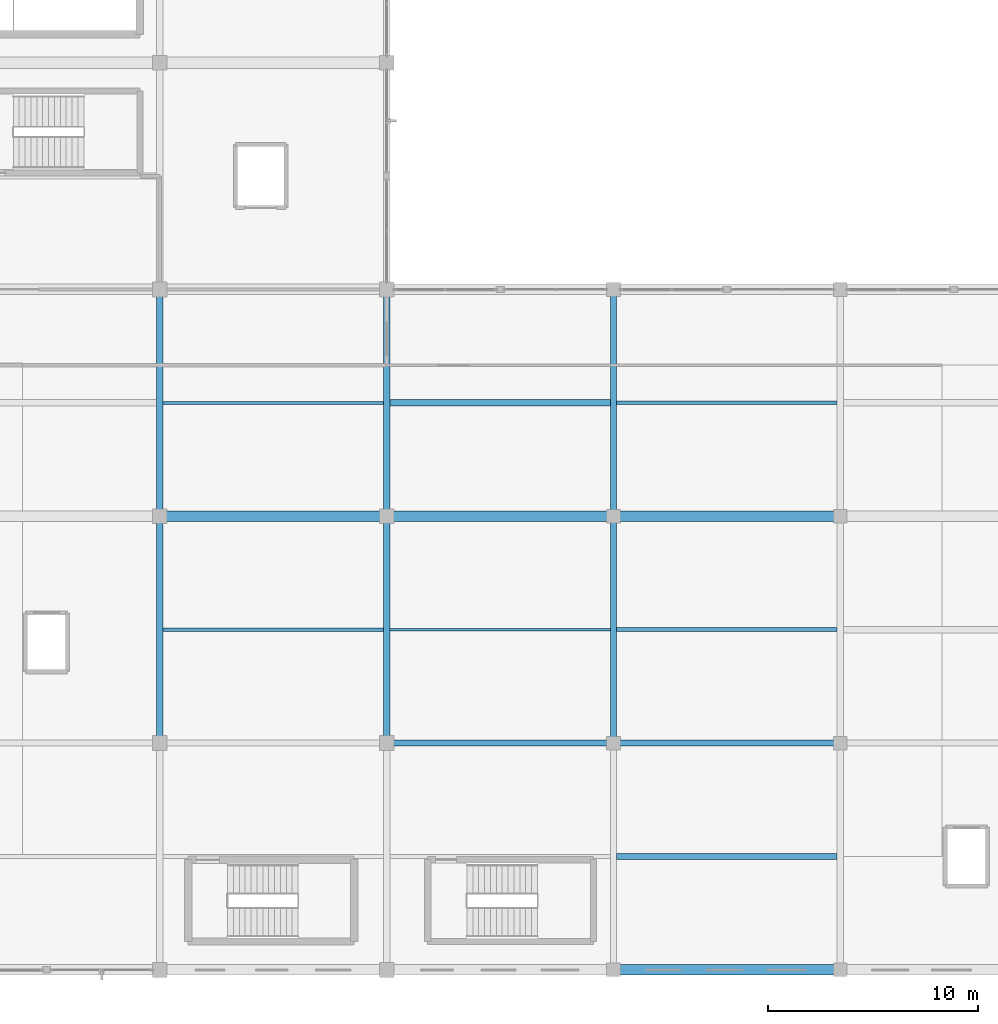
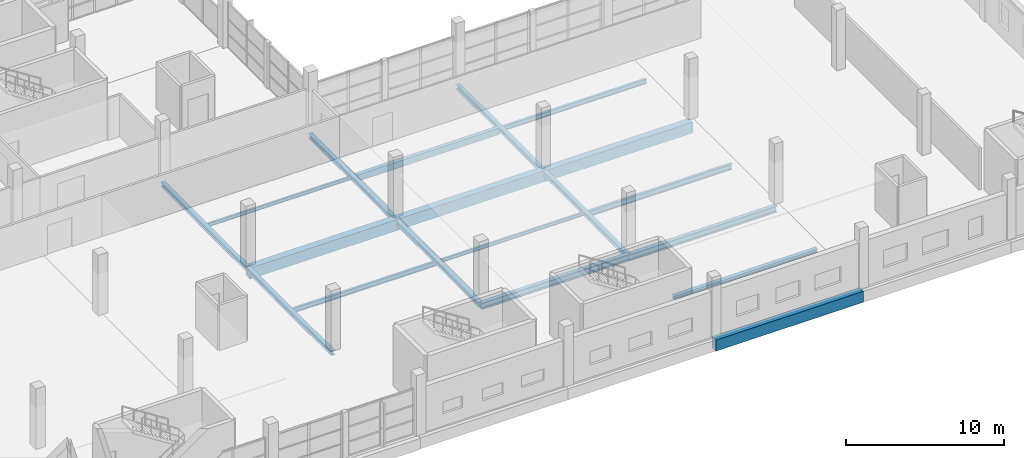
# One storey, part 56 of 142: 19 beams.
"""IFC4 building model written with IfcOpenShell, lengths in metres."""

from ifc_helpers import new_model, si_unit, direction, frame, origin, origin_2d, place, context, subcontext, project, spatial, rectangle, i_section, extrude, material, material_profile, profile_set, type_object, element, save


model = new_model("IFC4")

# Units and contexts
model_context = context("Model", 3, precision=1e-05, world=origin(), true_north=direction((0.0, 1.0)))
body_context = subcontext(model_context, "Body", "Model", "MODEL_VIEW")
ifc_project = project(units=[si_unit("LENGTHUNIT", "METRE"), si_unit("AREAUNIT", "SQUARE_METRE"), si_unit("VOLUMEUNIT", "CUBIC_METRE"), si_unit("PLANEANGLEUNIT", "RADIAN"), si_unit("MASSUNIT", "GRAM", prefix="KILO")], contexts=[model_context])

# Site, building, storey
site_placement = place(None, origin())
site = spatial("IfcSite", under=ifc_project, at=site_placement, CompositionType="ELEMENT")
building_placement = place(site_placement, origin())
building = spatial("IfcBuilding", under=site, at=building_placement, Name="Zwinboog Wholesale Market", CompositionType="ELEMENT")
storey_placement = place(building_placement, frame((0.0, 0.0, 5.39990234375)))
storey = spatial("IfcBuildingStorey", under=building, at=storey_placement, Name="L01", CompositionType="ELEMENT", Elevation=5.39990234375)

# Beams
ifc_material_1 = material(Name="Precast concrete C45/55", Category="concrete")
ifc_material_profile_1 = material_profile(ifc_material_1, rectangle(XDim=0.5, YDim=0.85009765625, at=origin_2d()), Name="PC 500x850")
ifc_profile_set_1 = profile_set([ifc_material_profile_1], Name="Precast concrete C45/55")
beam_type_1 = type_object("IfcBeamType", Name="BT-03", PredefinedType="BEAM", material=ifc_profile_set_1)
beam_1_placement = place(storey_placement, frame((183.60009765625, 0.0, -0.72998046875), z_axis=(1.0, 0.0, 0.0), x_axis=(0.0, 1.0, 0.0)))
element("IfcBeam", 1, at=beam_1_placement, inside=storey, type_object=beam_type_1, Name="BG-03 (BMG-L01-1836-0000-0422)", PredefinedType="BEAM", context=body_context, shape_type="SweptSolid", body=[
    extrude(rectangle(XDim=0.5, YDim=0.85009765625, at=origin_2d()), origin(), (0.0, 0.0, 1.0), 10.7998046875),
])
for number, where, z_axis, x_axis, name in (
    (2, (162.0, 21.60009765625, -0.704833984375), (1.0, 0.0, 0.0), (0.0, 1.0, 0.0), "BG-03 (BMG-L01-1620-0216-0444)"),
    (3, (172.800048828125, 21.60009765625, -0.704833984375), (1.0, 0.0, 0.0), (0.0, 1.0, 0.0), "BG-03 (BMG-L01-1728-0216-0445)"),
):
    element("IfcBeam", number, at=place(storey_placement, frame(where, z_axis=z_axis, x_axis=x_axis)), inside=storey, type_object=beam_type_1, Name=name, PredefinedType="BEAM", context=body_context, shape_type="SweptSolid", body=[
        extrude(rectangle(XDim=0.5, YDim=0.85009765625, at=origin_2d()), origin(), (0.0, 0.0, 1.0), 10.800048828125),
    ])
beam_2_placement = place(storey_placement, frame((183.60009765625, 21.60009765625, -0.72998046875), z_axis=(1.0, 0.0, 0.0), x_axis=(0.0, 1.0, 0.0)))
element("IfcBeam", 4, at=beam_2_placement, inside=storey, type_object=beam_type_1, Name="BG-03 (BMG-L01-1836-0216-0446)", PredefinedType="BEAM", context=body_context, shape_type="SweptSolid", body=[
    extrude(rectangle(XDim=0.5, YDim=0.85009765625, at=origin_2d()), origin(), (0.0, 0.0, 1.0), 10.7998046875),
])
ifc_material_profile_2 = material_profile(ifc_material_1, rectangle(XDim=0.300048828125, YDim=0.5, at=origin_2d()), Name="PC 300x500")
ifc_profile_set_2 = profile_set([ifc_material_profile_2], Name="Precast concrete C45/55")
beam_type_2 = type_object("IfcBeamType", Name="BT-10", PredefinedType="JOIST", material=ifc_profile_set_2)
beam_3_placement = place(storey_placement, frame((172.949951171875, 27.0, -0.52978515625), z_axis=(1.0, 0.0, 0.0), x_axis=(0.0, 1.0, 0.0)))
element("IfcBeam", 5, at=beam_3_placement, inside=storey, type_object=beam_type_2, Name="BJ-01 (BMG-L01-1730-0270-0894)", PredefinedType="JOIST", context=body_context, shape_type="SweptSolid", body=[
    extrude(rectangle(XDim=0.300048828125, YDim=0.5, at=origin_2d()), origin(), (0.0, 0.0, 1.0), 10.5),
])
ifc_material_2 = material(Name="Steel S355", Category="steel")
ifc_material_profile_3 = material_profile(ifc_material_2, i_section(OverallWidth=0.300048828125, OverallDepth=0.5, WebThickness=0.014404296875, FlangeThickness=0.028076171875, FilletRadius=0.027099609375, at=origin_2d()), Name="HEB 500")
ifc_profile_set_3 = profile_set([ifc_material_profile_3], Name="Steel S355")
beam_type_3 = type_object("IfcBeamType", Name="BT-14", PredefinedType="BEAM", material=ifc_profile_set_3)
beam_4_placement = place(storey_placement, frame((172.800048828125, 10.800048828125, -0.52978515625), z_axis=(1.0, 0.0, 0.0), x_axis=(0.0, 1.0, 0.0)))
element("IfcBeam", 6, at=beam_4_placement, inside=storey, type_object=beam_type_3, Name="SB-01 (BMG-L01-1728-0108-0433)", PredefinedType="BEAM", context=body_context, shape_type="SweptSolid", body=[
    extrude(i_section(OverallWidth=0.300048828125, OverallDepth=0.5, WebThickness=0.014404296875, FlangeThickness=0.028076171875, FilletRadius=0.027099609375, at=origin_2d()), origin(), (0.0, 0.0, 1.0), 10.800048828125),
])
beam_5_placement = place(storey_placement, frame((183.60009765625, 10.800048828125, -0.554931640625), z_axis=(1.0, 0.0, 0.0), x_axis=(0.0, 1.0, 0.0)))
element("IfcBeam", 7, at=beam_5_placement, inside=storey, type_object=beam_type_3, Name="SB-01 (BMG-L01-1836-0108-0434)", PredefinedType="BEAM", context=body_context, shape_type="SweptSolid", body=[
    extrude(i_section(OverallWidth=0.300048828125, OverallDepth=0.5, WebThickness=0.014404296875, FlangeThickness=0.028076171875, FilletRadius=0.027099609375, at=origin_2d()), origin(), (0.0, 0.0, 1.0), 10.7998046875),
])
ifc_material_profile_4 = material_profile(ifc_material_2, i_section(OverallWidth=0.300048828125, OverallDepth=0.35009765625, WebThickness=0.010009765625, FlangeThickness=0.017578125, FilletRadius=0.027099609375, at=origin_2d()), Name="HEA 360")
ifc_profile_set_4 = profile_set([ifc_material_profile_4], Name="Steel S355")
beam_type_4 = type_object("IfcBeamType", Name="BT-17", PredefinedType="BEAM", material=ifc_profile_set_4)
beam_6_placement = place(storey_placement, frame((162.0, 10.800048828125, -0.429931640625), z_axis=(0.0, 1.0, 0.0), x_axis=(-1.0, 0.0, 0.0)))
element("IfcBeam", 8, at=beam_6_placement, inside=storey, type_object=beam_type_4, Name="SB-04 (BMG-L01-1620-0108-0734)", PredefinedType="BEAM", context=body_context, shape_type="SweptSolid", body=[
    extrude(i_section(OverallWidth=0.300048828125, OverallDepth=0.35009765625, WebThickness=0.010009765625, FlangeThickness=0.017578125, FilletRadius=0.027099609375, at=origin_2d()), origin(), (0.0, 0.0, 1.0), 10.800048828125),
])
beam_7_placement = place(storey_placement, frame((162.0, 21.60009765625, -0.429931640625), z_axis=(0.0, 1.0, 0.0), x_axis=(-1.0, 0.0, 0.0)))
element("IfcBeam", 9, at=beam_7_placement, inside=storey, type_object=beam_type_4, Name="SB-04 (BMG-L01-1620-0216-0735)", PredefinedType="BEAM", context=body_context, shape_type="SweptSolid", body=[
    extrude(i_section(OverallWidth=0.300048828125, OverallDepth=0.35009765625, WebThickness=0.010009765625, FlangeThickness=0.017578125, FilletRadius=0.027099609375, at=origin_2d()), origin(), (0.0, 0.0, 1.0), 10.7998046875),
])
beam_8_placement = place(storey_placement, frame((172.800048828125, 10.800048828125, -0.454833984375), z_axis=(0.0, 1.0, 0.0), x_axis=(-1.0, 0.0, 0.0)))
element("IfcBeam", 10, at=beam_8_placement, inside=storey, type_object=beam_type_4, Name="SB-04 (BMG-L01-1728-0108-0746)", PredefinedType="BEAM", context=body_context, shape_type="SweptSolid", body=[
    extrude(i_section(OverallWidth=0.300048828125, OverallDepth=0.35009765625, WebThickness=0.010009765625, FlangeThickness=0.017578125, FilletRadius=0.027099609375, at=origin_2d()), origin(), (0.0, 0.0, 1.0), 10.800048828125),
])
beam_9_placement = place(storey_placement, frame((172.800048828125, 21.60009765625, -0.454833984375), z_axis=(0.0, 1.0, 0.0), x_axis=(-1.0, 0.0, 0.0)))
element("IfcBeam", 11, at=beam_9_placement, inside=storey, type_object=beam_type_4, Name="SB-04 (BMG-L01-1728-0216-0747)", PredefinedType="BEAM", context=body_context, shape_type="SweptSolid", body=[
    extrude(i_section(OverallWidth=0.300048828125, OverallDepth=0.35009765625, WebThickness=0.010009765625, FlangeThickness=0.017578125, FilletRadius=0.027099609375, at=origin_2d()), origin(), (0.0, 0.0, 1.0), 10.7998046875),
])
beam_10_placement = place(storey_placement, frame((183.60009765625, 10.800048828125, -0.454833984375), z_axis=(0.0, 1.0, 0.0), x_axis=(-1.0, 0.0, 0.0)))
element("IfcBeam", 12, at=beam_10_placement, inside=storey, type_object=beam_type_4, Name="SB-04 (BMG-L01-1836-0108-0758)", PredefinedType="BEAM", context=body_context, shape_type="SweptSolid", body=[
    extrude(i_section(OverallWidth=0.300048828125, OverallDepth=0.35009765625, WebThickness=0.010009765625, FlangeThickness=0.017578125, FilletRadius=0.027099609375, at=origin_2d()), origin(), (0.0, 0.0, 1.0), 10.800048828125),
])
beam_11_placement = place(storey_placement, frame((183.60009765625, 21.60009765625, -0.454833984375), z_axis=(0.0, 1.0, 0.0), x_axis=(-1.0, 0.0, 0.0)))
element("IfcBeam", 13, at=beam_11_placement, inside=storey, type_object=beam_type_4, Name="SB-04 (BMG-L01-1836-0216-0759)", PredefinedType="BEAM", context=body_context, shape_type="SweptSolid", body=[
    extrude(i_section(OverallWidth=0.300048828125, OverallDepth=0.35009765625, WebThickness=0.010009765625, FlangeThickness=0.017578125, FilletRadius=0.027099609375, at=origin_2d()), origin(), (0.0, 0.0, 1.0), 10.7998046875),
])
ifc_material_profile_5 = material_profile(ifc_material_2, i_section(OverallWidth=0.300048828125, OverallDepth=0.2900390625, WebThickness=0.008544921875, FlangeThickness=0.013916015625, FilletRadius=0.027099609375, at=origin_2d()), Name="HEA 300")
ifc_profile_set_5 = profile_set([ifc_material_profile_5], Name="Steel S355")
beam_type_5 = type_object("IfcBeamType", Name="BT-18", PredefinedType="JOIST", material=ifc_profile_set_5)
beam_12_placement = place(storey_placement, frame((183.75, 5.39990234375, -0.449951171875), z_axis=(1.0, 0.0, 0.0), x_axis=(0.0, 1.0, 0.0)))
element("IfcBeam", 14, at=beam_12_placement, inside=storey, type_object=beam_type_5, Name="SJ-01 (BMG-L01-1838-0054-0895)", PredefinedType="JOIST", context=body_context, shape_type="SweptSolid", body=[
    extrude(i_section(OverallWidth=0.300048828125, OverallDepth=0.2900390625, WebThickness=0.008544921875, FlangeThickness=0.013916015625, FilletRadius=0.027099609375, at=origin_2d()), origin(), (0.0, 0.0, 1.0), 10.5),
])
ifc_material_profile_6 = material_profile(ifc_material_2, i_section(OverallWidth=0.18994140625, OverallDepth=0.449951171875, WebThickness=0.009521484375, FlangeThickness=0.0146484375, FilletRadius=0.02099609375, at=origin_2d()), Name="IPE 450")
ifc_profile_set_6 = profile_set([ifc_material_profile_6], Name="Steel S355")
beam_type_6 = type_object("IfcBeamType", Name="BT-19", PredefinedType="JOIST", material=ifc_profile_set_6)
beam_13_placement = place(storey_placement, frame((183.75, 16.199951171875, -0.52978515625), z_axis=(1.0, 0.0, 0.0), x_axis=(0.0, 1.0, 0.0)))
element("IfcBeam", 15, at=beam_13_placement, inside=storey, type_object=beam_type_6, Name="SJ-02 (BMG-L01-1838-0162-0896)", PredefinedType="JOIST", context=body_context, shape_type="SweptSolid", body=[
    extrude(i_section(OverallWidth=0.18994140625, OverallDepth=0.449951171875, WebThickness=0.009521484375, FlangeThickness=0.0146484375, FilletRadius=0.02099609375, at=origin_2d()), origin(), (0.0, 0.0, 1.0), 10.5),
])
ifc_material_profile_7 = material_profile(ifc_material_2, i_section(OverallWidth=0.169921875, OverallDepth=0.360107421875, WebThickness=0.008056640625, FlangeThickness=0.0126953125, FilletRadius=0.01806640625, at=origin_2d()), Name="IPE 360")
ifc_profile_set_7 = profile_set([ifc_material_profile_7], Name="Steel S355")
beam_type_7 = type_object("IfcBeamType", Name="BT-20", PredefinedType="JOIST", material=ifc_profile_set_7)
for number, where, z_axis, x_axis, name in (
    (16, (183.75, 27.0, -0.48486328125), (1.0, 0.0, 0.0), (0.0, 1.0, 0.0), "SJ-03 (BMG-L01-1838-0270-0897)"),
    (17, (162.14990234375, 16.199951171875, -0.4599609375), (1.0, 0.0, 0.0), (0.0, 1.0, 0.0), "SJ-03 (BMG-L01-1622-0162-0915)"),
):
    element("IfcBeam", number, at=place(storey_placement, frame(where, z_axis=z_axis, x_axis=x_axis)), inside=storey, type_object=beam_type_7, Name=name, PredefinedType="JOIST", context=body_context, shape_type="SweptSolid", body=[
        extrude(i_section(OverallWidth=0.169921875, OverallDepth=0.360107421875, WebThickness=0.008056640625, FlangeThickness=0.0126953125, FilletRadius=0.01806640625, at=origin_2d()), origin(), (0.0, 0.0, 1.0), 10.5),
    ])
ifc_material_profile_8 = material_profile(ifc_material_2, i_section(OverallWidth=0.135009765625, OverallDepth=0.27001953125, WebThickness=0.006591796875, FlangeThickness=0.01025390625, FilletRadius=0.014892578125, at=origin_2d()), Name="IPE 270")
ifc_profile_set_8 = profile_set([ifc_material_profile_8], Name="Steel S355")
beam_type_8 = type_object("IfcBeamType", Name="BT-21", PredefinedType="JOIST", material=ifc_profile_set_8)
for number, where, z_axis, x_axis, name in (
    (18, (172.949951171875, 16.199951171875, -0.414794921875), (1.0, 0.0, 0.0), (0.0, 1.0, 0.0), "SJ-04 (BMG-L01-1730-0162-0893)"),
    (19, (162.14990234375, 27.0, -0.414794921875), (1.0, 0.0, 0.0), (0.0, 1.0, 0.0), "SJ-04 (BMG-L01-1622-0270-0916)"),
):
    element("IfcBeam", number, at=place(storey_placement, frame(where, z_axis=z_axis, x_axis=x_axis)), inside=storey, type_object=beam_type_8, Name=name, PredefinedType="JOIST", context=body_context, shape_type="SweptSolid", body=[
        extrude(i_section(OverallWidth=0.135009765625, OverallDepth=0.27001953125, WebThickness=0.006591796875, FlangeThickness=0.01025390625, FilletRadius=0.014892578125, at=origin_2d()), origin(), (0.0, 0.0, 1.0), 10.5),
    ])

save(model, "model.ifc")
